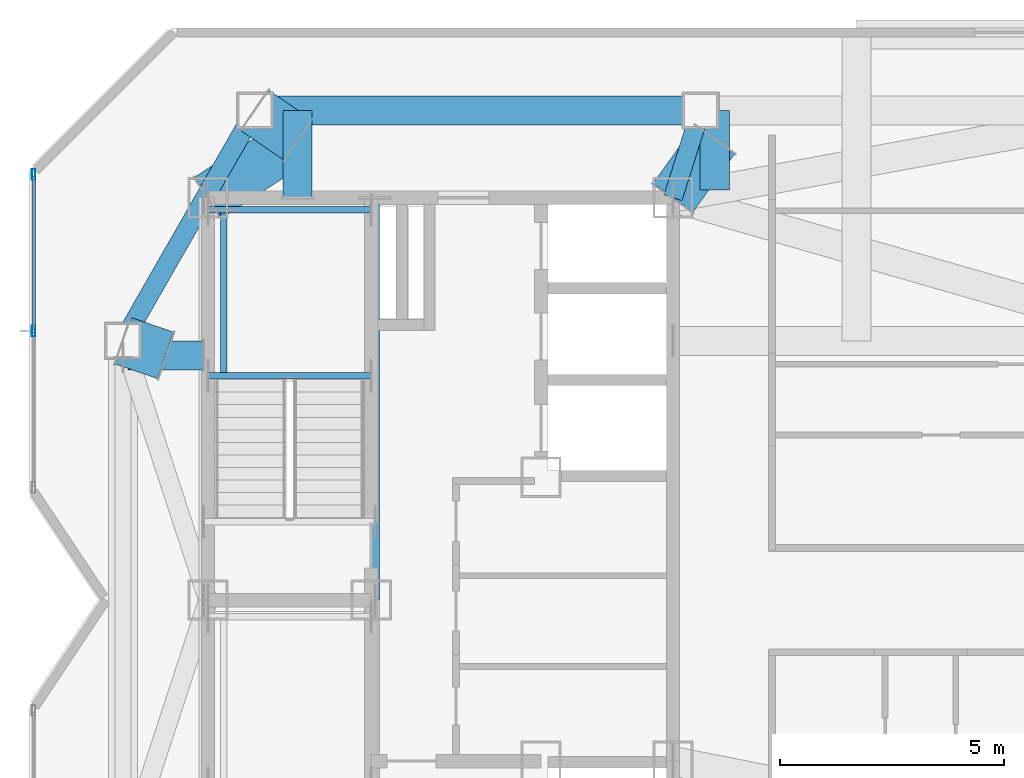
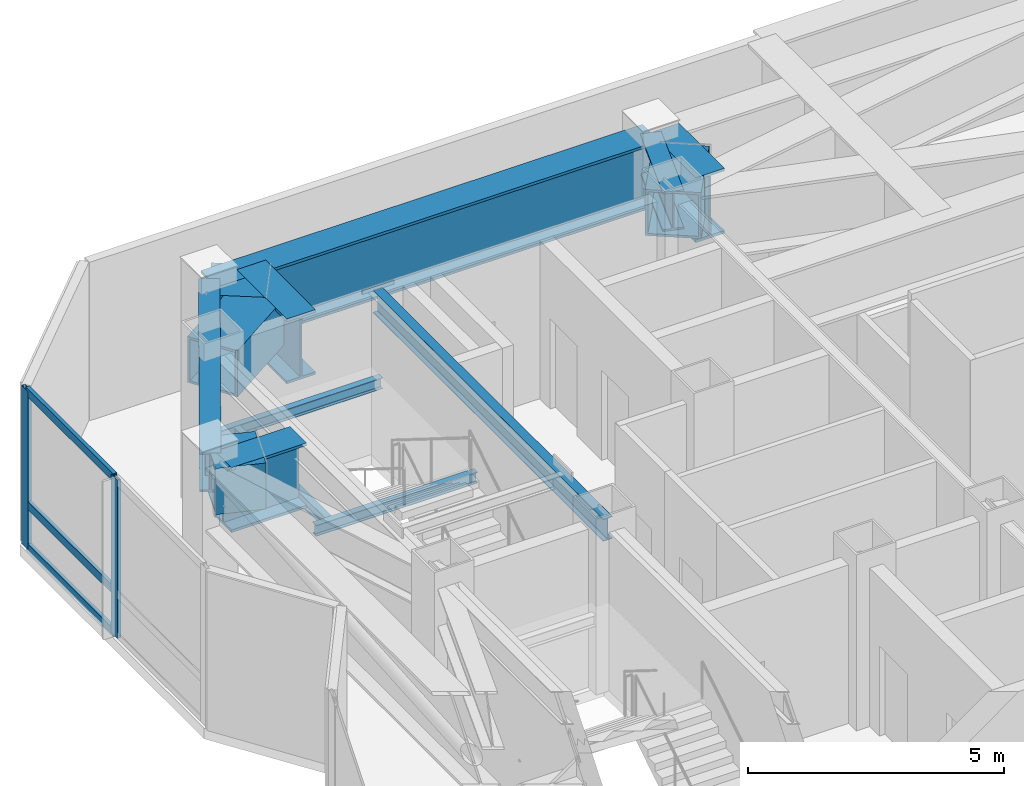
# One storey, part 5 of 15: 14 beams, 5 members, 1 element without a shape of its own.
"""IFC4 building model written with IfcOpenShell, lengths in metres."""

from ifc_helpers import new_model, si_unit, direction, frame, origin, origin_2d, place, context, subcontext, project, spatial, hollow_rectangle, i_section, extrude, material, material_profile, profile_set, type_object, element, aggregate, save


model = new_model("IFC4")

# Units and contexts
model_context = context("Model", 3, precision=1e-05, world=origin(), true_north=direction((0.0, 1.0)))
body_context = subcontext(model_context, "Body", "Model", "MODEL_VIEW")
ifc_project = project(units=[si_unit("LENGTHUNIT", "METRE"), si_unit("AREAUNIT", "SQUARE_METRE"), si_unit("VOLUMEUNIT", "CUBIC_METRE"), si_unit("PLANEANGLEUNIT", "RADIAN"), si_unit("MASSUNIT", "GRAM", prefix="KILO")], contexts=[model_context])

# Site, building, storey
site_placement = place(None, origin())
site = spatial("IfcSite", under=ifc_project, at=site_placement, CompositionType="ELEMENT")
building_placement = place(site_placement, origin())
building = spatial("IfcBuilding", under=site, at=building_placement, Name="Khamvora Tower", CompositionType="ELEMENT")
storey_placement = place(building_placement, frame((0.0, 0.0, 290.449951171875)))
storey = spatial("IfcBuildingStorey", under=building, at=storey_placement, Name="L74", CompositionType="ELEMENT", Elevation=290.449951171875)

# Beams
ifc_material_1 = material(Name="Steel S355", Category="steel")
ifc_material_profile_1 = material_profile(ifc_material_1, i_section(OverallWidth=0.14697265625, OverallDepth=0.261962890625, WebThickness=0.007080078125, FlangeThickness=0.010986328125, FilletRadius=0.008056640625, at=origin_2d()), Name="W250x39")
ifc_profile_set_1 = profile_set([ifc_material_profile_1], Name="Steel S355")
beam_type_1 = type_object("IfcBeamType", Name="BM-LN-W250x39", PredefinedType="LINTEL", material=ifc_profile_set_1)
for number, where, z_axis, x_axis, name in (
    (1, (29.0, 33.014892578125, 1.76904296875), (1.0, 0.0, 0.0), (0.0, 1.0, 0.0), "L74 ST-02 half-landing support beam 1.1"),
    (2, (29.0, 36.72998046875, 1.76904296875), (1.0, 0.0, 0.0), (0.0, 1.0, 0.0), "L74 ST-02 half-landing support beam 1.2"),
):
    element("IfcBeam", number, at=place(storey_placement, frame(where, z_axis=z_axis, x_axis=x_axis)), inside=storey, type_object=beam_type_1, Name=name, PredefinedType="LINTEL", context=body_context, shape_type="SweptSolid", body=[
        extrude(i_section(OverallWidth=0.14697265625, OverallDepth=0.261962890625, WebThickness=0.007080078125, FlangeThickness=0.010986328125, FilletRadius=0.008056640625, at=origin_2d()), origin(), (0.0, 0.0, 1.0), 3.64990234375),
    ])
beam_1_placement = place(storey_placement, frame((29.35009765625, 33.014892578125, 1.76904296875), z_axis=(0.0, 1.0, 0.0), x_axis=(-1.0, 0.0, 0.0)))
element("IfcBeam", 3, at=beam_1_placement, inside=storey, type_object=beam_type_1, Name="L74 ST-02 half-landing edge stringer 1", PredefinedType="LINTEL", context=body_context, shape_type="SweptSolid", body=[
    extrude(i_section(OverallWidth=0.14697265625, OverallDepth=0.261962890625, WebThickness=0.007080078125, FlangeThickness=0.010986328125, FilletRadius=0.008056640625, at=origin_2d()), origin(), (0.0, 0.0, 1.0), 3.715087890625),
])
ifc_material_profile_2 = material_profile(ifc_material_1, i_section(OverallWidth=0.208984375, OverallDepth=0.532958984375, WebThickness=0.010009765625, FlangeThickness=0.01611328125, FilletRadius=0.013916015625, at=origin_2d()), Name="W530x92")
ifc_profile_set_2 = profile_set([ifc_material_profile_2], Name="Steel S355")
beam_type_2 = type_object("IfcBeamType", Name="BM-SP-W530x92", PredefinedType="SPANDREL", material=ifc_profile_set_2)
beam_2_placement = place(storey_placement, frame((32.72998046875, 28.0, 3.51416015625), z_axis=(0.0, 1.0, 0.0), x_axis=(-1.0, 0.0, 0.0)))
element("IfcBeam", 4, at=beam_2_placement, inside=storey, type_object=beam_type_2, Name="L74 core spine girder M1N", PredefinedType="SPANDREL", context=body_context, shape_type="SweptSolid", body=[
    extrude(i_section(OverallWidth=0.208984375, OverallDepth=0.532958984375, WebThickness=0.010009765625, FlangeThickness=0.01611328125, FilletRadius=0.013916015625, at=origin_2d()), origin(), (0.0, 0.0, 1.0), 9.0),
])
ifc_material_2 = material(Name="Steel S460", Category="steel")
ifc_material_profile_3 = material_profile(ifc_material_2, hollow_rectangle(XDim=1.10009765625, YDim=1.10009765625, WallThickness=0.054931640625, at=origin_2d()), Name="BOX1100x1100x55")
ifc_profile_set_3 = profile_set([ifc_material_profile_3], Name="Steel S460")
beam_type_3 = type_object("IfcBeamType", Name="BM-TG-BOX1100", PredefinedType="BEAM", material=ifc_profile_set_3)
beam_3_placement = place(storey_placement, frame((30.050048828125, 38.949951171875, 3.22998046875), z_axis=(0.825333274283, -0.564645894665, 0.0), x_axis=(0.564645894665, 0.825333274283, 0.0)))
element("IfcBeam", 5, at=beam_3_placement, inside=storey, type_object=beam_type_3, Name="L74 setback frame transfer frame transfer link N1.1", PredefinedType="BEAM", context=body_context, shape_type="SweptSolid", body=[
    extrude(hollow_rectangle(XDim=1.10009765625, YDim=1.10009765625, WallThickness=0.054931640625, at=origin_2d()), origin(), (0.0, 0.0, 1.0), 1.15087890625),
])
beam_4_placement = place(storey_placement, frame((29.0, 37.0, 3.22998046875), z_axis=(0.838434262763, 0.545002740383, 0.0), x_axis=(-0.545002740383, 0.838434262763, 0.0)))
element("IfcBeam", 6, at=beam_4_placement, inside=storey, type_object=beam_type_3, Name="L74 setback frame transfer frame transfer link N1.2", PredefinedType="BEAM", context=body_context, shape_type="SweptSolid", body=[
    extrude(hollow_rectangle(XDim=1.10009765625, YDim=1.10009765625, WallThickness=0.054931640625, at=origin_2d()), origin(), (0.0, 0.0, 1.0), 2.385498046875),
])
beam_5_placement = place(storey_placement, frame((39.39990234375, 37.0, 3.22998046875), z_axis=(0.583098361716, 0.812401563615, 0.0), x_axis=(-0.812401563615, 0.583098361716, 0.0)))
element("IfcBeam", 7, at=beam_5_placement, inside=storey, type_object=beam_type_3, Name="L74 setback frame transfer frame transfer link N2.2", PredefinedType="BEAM", context=body_context, shape_type="SweptSolid", body=[
    extrude(hollow_rectangle(XDim=1.10009765625, YDim=1.10009765625, WallThickness=0.054931640625, at=origin_2d()), origin(), (0.0, 0.0, 1.0), 1.600341796875),
])
beam_6_placement = place(storey_placement, frame((27.10009765625, 33.800048828125, 3.22998046875), z_axis=(0.946173783676, -0.323659035228, 0.0), x_axis=(0.323659035228, 0.946173783676, 0.0)))
element("IfcBeam", 8, at=beam_6_placement, inside=storey, type_object=beam_type_3, Name="L74 setback frame transfer frame transfer link W2.1", PredefinedType="BEAM", context=body_context, shape_type="SweptSolid", body=[
    extrude(hollow_rectangle(XDim=1.10009765625, YDim=1.10009765625, WallThickness=0.054931640625, at=origin_2d()), origin(), (0.0, 0.0, 1.0), 1.00390625),
])
ifc_material_profile_4 = material_profile(ifc_material_2, i_section(OverallWidth=0.64990234375, OverallDepth=1.550048828125, WebThickness=0.0400390625, FlangeThickness=0.06494140625, at=origin_2d()), Name="PG1550x650x40x65")
ifc_profile_set_4 = profile_set([ifc_material_profile_4], Name="Steel S460")
beam_type_4 = type_object("IfcBeamType", Name="BM-TG-PG1800", PredefinedType="BEAM", material=ifc_profile_set_4)
beam_7_placement = place(storey_placement, frame((40.01708984375, 38.949951171875, 3.005126953125), z_axis=(-1.0, 0.0, 0.0), x_axis=(0.0, -1.0, 0.0)))
element("IfcBeam", 9, at=beam_7_placement, inside=storey, type_object=beam_type_4, Name="L74 perimeter spandrel beam N2-N1", PredefinedType="BEAM", context=body_context, shape_type="SweptSolid", body=[
    extrude(i_section(OverallWidth=0.64990234375, OverallDepth=1.550048828125, WebThickness=0.0400390625, FlangeThickness=0.06494140625, at=origin_2d()), origin(), (0.0, 0.0, 1.0), 9.967041015625),
])
beam_8_placement = place(storey_placement, frame((31.0, 37.0, 3.005126953125), z_axis=(0.0, 1.0, 0.0), x_axis=(-1.0, 0.0, 0.0)))
element("IfcBeam", 10, at=beam_8_placement, inside=storey, type_object=beam_type_4, Name="L74 setback frame transfer Box Girder N1", PredefinedType="BEAM", context=body_context, shape_type="SweptSolid", body=[
    extrude(i_section(OverallWidth=0.64990234375, OverallDepth=1.550048828125, WebThickness=0.0400390625, FlangeThickness=0.06494140625, at=origin_2d()), origin(), (0.0, 0.0, 1.0), 1.949951171875),
])
beam_9_placement = place(storey_placement, frame((40.3330078125, 37.172119140625, 3.005126953125), z_axis=(0.0, 1.0, 0.0), x_axis=(-1.0, 0.0, 0.0)))
element("IfcBeam", 11, at=beam_9_placement, inside=storey, type_object=beam_type_4, Name="L74 setback frame transfer Box Girder N2", PredefinedType="BEAM", context=body_context, shape_type="SweptSolid", body=[
    extrude(i_section(OverallWidth=0.64990234375, OverallDepth=1.550048828125, WebThickness=0.0400390625, FlangeThickness=0.06494140625, at=origin_2d()), origin(), (0.0, 0.0, 1.0), 1.77783203125),
])
beam_10_placement = place(storey_placement, frame((27.2060546875, 33.47509765625, 3.005126953125), z_axis=(1.0, 0.0, 0.0), x_axis=(0.0, 1.0, 0.0)))
element("IfcBeam", 12, at=beam_10_placement, inside=storey, type_object=beam_type_4, Name="L74 setback frame transfer Box Girder W2", PredefinedType="BEAM", context=body_context, shape_type="SweptSolid", body=[
    extrude(i_section(OverallWidth=0.64990234375, OverallDepth=1.550048828125, WebThickness=0.0400390625, FlangeThickness=0.06494140625, at=origin_2d()), origin(), (0.0, 0.0, 1.0), 1.69384765625),
])
ifc_material_profile_5 = material_profile(ifc_material_2, i_section(OverallWidth=0.423095703125, OverallDepth=0.93310546875, WebThickness=0.02392578125, FlangeThickness=0.04296875, FilletRadius=0.02001953125, at=origin_2d()), Name="W920x446")
ifc_profile_set_5 = profile_set([ifc_material_profile_5], Name="Steel S460")
beam_type_5 = type_object("IfcBeamType", Name="BM-TL-900", PredefinedType="BEAM", material=ifc_profile_set_5)
beam_11_placement = place(storey_placement, frame((30.050048828125, 38.949951171875, 3.31396484375), z_axis=(-0.497046824242, -0.86772372015, 0.0), x_axis=(0.86772372015, -0.497046824242, 0.0)))
element("IfcBeam", 13, at=beam_11_placement, inside=storey, type_object=beam_type_5, Name="L74 perimeter spandrel beam N1-W2", PredefinedType="BEAM", context=body_context, shape_type="SweptSolid", body=[
    extrude(i_section(OverallWidth=0.423095703125, OverallDepth=0.93310546875, WebThickness=0.02392578125, FlangeThickness=0.04296875, FilletRadius=0.02001953125, at=origin_2d()), origin(), (0.0, 0.0, 1.0), 5.93505859375),
])
beam_12_placement = place(storey_placement, frame((39.39990234375, 37.0, 3.31396484375), z_axis=(0.301759708026, 0.953384014242, 0.0), x_axis=(-0.953384014242, 0.301759708026, 0.0)))
element("IfcBeam", 14, at=beam_12_placement, inside=storey, type_object=beam_type_5, Name="L74 primary floor girder N2", PredefinedType="BEAM", context=body_context, shape_type="SweptSolid", body=[
    extrude(i_section(OverallWidth=0.423095703125, OverallDepth=0.93310546875, WebThickness=0.02392578125, FlangeThickness=0.04296875, FilletRadius=0.02001953125, at=origin_2d()), origin(), (0.0, 0.0, 1.0), 2.04541015625),
])

# Curtain wall, members
ifc_material_3 = material(Name="Anodised Aluminium 6063-T6", Category="aluminium")
curtain_wall_type = type_object("IfcCurtainWallType", Name="CW-SYS-06", PredefinedType="NOTDEFINED", material=ifc_material_3)
curtain_wall_placement = place(storey_placement, origin())
curtain_wall = element("IfcCurtainWall", 15, at=curtain_wall_placement, inside=storey, type_object=curtain_wall_type, Name="L74 stick curtain wall 05.1", PredefinedType="NOTDEFINED")
ifc_material_profile_6 = material_profile(ifc_material_3, hollow_rectangle(XDim=0.080078125, YDim=0.239990234375, WallThickness=0.0048828125, at=origin_2d()), Name="MUL80x240x5")
ifc_profile_set_6 = profile_set([ifc_material_profile_6], Name="Anodised Aluminium 6063-T6")
member_type_1 = type_object("IfcMemberType", Name="CW-SYS-06-MUL", PredefinedType="MULLION", material=ifc_profile_set_6)
member_1_placement = place(storey_placement, frame((25.10009765625, 34.01806640625, 0.0), z_axis=(0.0, 0.0, 1.0), x_axis=(-1.0, 0.0, 0.0)))
member_1 = element("IfcMember", 16, at=member_1_placement, type_object=member_type_1, Name="CW-06 mullion 2", PredefinedType="MULLION", context=body_context, shape_type="SweptSolid", body=[
    extrude(hollow_rectangle(XDim=0.080078125, YDim=0.239990234375, WallThickness=0.0048828125, at=origin_2d()), origin(), (0.0, 0.0, 1.0), 3.780029296875),
])
member_2_placement = place(storey_placement, frame((25.10009765625, 37.51904296875, 0.0), z_axis=(0.0, 0.0, 1.0), x_axis=(-1.0, 0.0, 0.0)))
member_2 = element("IfcMember", 17, at=member_2_placement, type_object=member_type_1, Name="CW-06 mullion 3", PredefinedType="MULLION", context=body_context, shape_type="SweptSolid", body=[
    extrude(hollow_rectangle(XDim=0.080078125, YDim=0.239990234375, WallThickness=0.0048828125, at=origin_2d()), origin(), (0.0, 0.0, 1.0), 3.780029296875),
])
ifc_material_profile_7 = material_profile(ifc_material_3, hollow_rectangle(XDim=0.080078125, YDim=0.195068359375, WallThickness=0.0048828125, at=origin_2d()), Name="TRN80x195x5")
ifc_profile_set_7 = profile_set([ifc_material_profile_7], Name="Anodised Aluminium 6063-T6")
member_type_2 = type_object("IfcMemberType", Name="CW-SYS-06-TRN", PredefinedType="USERDEFINED", material=ifc_profile_set_7)
member_3_placement = place(storey_placement, frame((25.10009765625, 34.05810546875, 0.0400390625), z_axis=(0.0, 1.0, 0.0), x_axis=(-1.0, 0.0, 0.0)))
member_3 = element("IfcMember", 18, at=member_3_placement, type_object=member_type_2, Name="CW-06 transom 2.1", ObjectType="TRANSOM", PredefinedType="USERDEFINED", context=body_context, shape_type="SweptSolid", body=[
    extrude(hollow_rectangle(XDim=0.080078125, YDim=0.195068359375, WallThickness=0.0048828125, at=origin_2d()), origin(), (0.0, 0.0, 1.0), 3.4208984375),
])
member_4_placement = place(storey_placement, frame((25.10009765625, 34.05810546875, 1.050048828125), z_axis=(0.0, 1.0, 0.0), x_axis=(-1.0, 0.0, 0.0)))
member_4 = element("IfcMember", 19, at=member_4_placement, type_object=member_type_2, Name="CW-06 transom 2.2", ObjectType="TRANSOM", PredefinedType="USERDEFINED", context=body_context, shape_type="SweptSolid", body=[
    extrude(hollow_rectangle(XDim=0.080078125, YDim=0.195068359375, WallThickness=0.0048828125, at=origin_2d()), origin(), (0.0, 0.0, 1.0), 3.4208984375),
])
member_5_placement = place(storey_placement, frame((25.10009765625, 34.05810546875, 3.739990234375), z_axis=(0.0, 1.0, 0.0), x_axis=(-1.0, 0.0, 0.0)))
member_5 = element("IfcMember", 20, at=member_5_placement, type_object=member_type_2, Name="CW-06 transom 2.3", ObjectType="TRANSOM", PredefinedType="USERDEFINED", context=body_context, shape_type="SweptSolid", body=[
    extrude(hollow_rectangle(XDim=0.080078125, YDim=0.195068359375, WallThickness=0.0048828125, at=origin_2d()), origin(), (0.0, 0.0, 1.0), 3.4208984375),
])
aggregate(curtain_wall, [member_1, member_2, member_3, member_4, member_5])

save(model, "model.ifc")
